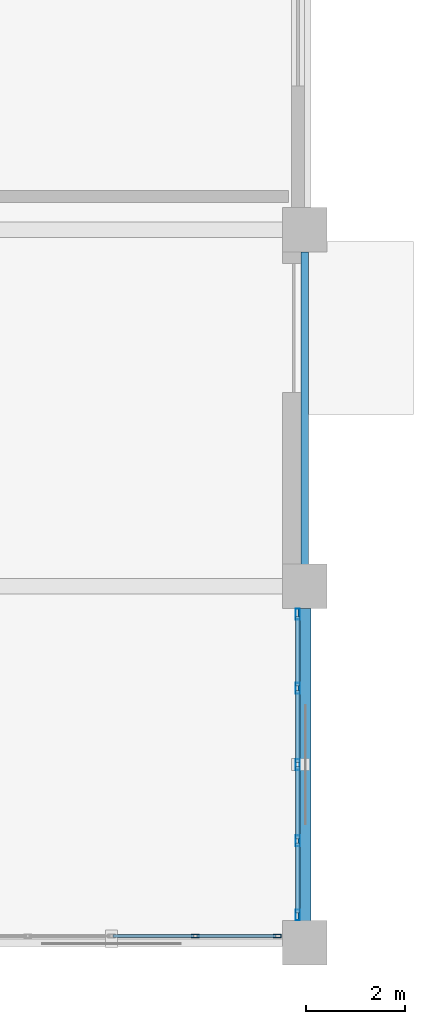
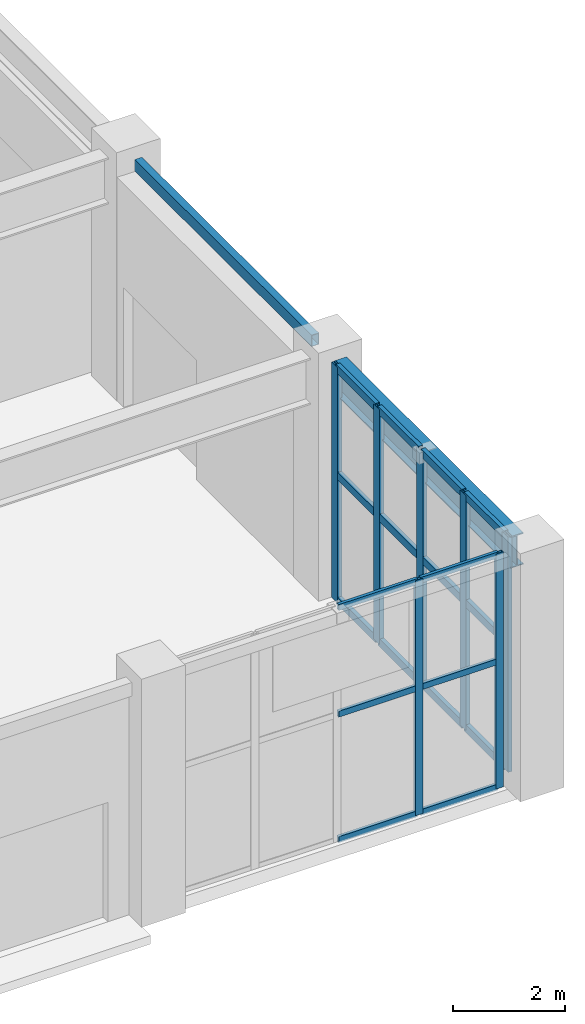
# One storey, part 85 of 139: 25 members, 2 beams, 2 elements without a shape of their own.
"""IFC4 building model written with IfcOpenShell, lengths in metres."""

from ifc_helpers import new_model, si_unit, direction, frame, origin, origin_2d, place, context, subcontext, project, spatial, hollow_rectangle, i_section, extrude, material, layer, layer_set, material_profile, profile_set, type_object, element, aggregate, save


model = new_model("IFC4")

# Units and contexts
model_context = context("Model", 3, precision=1e-05, world=origin(), true_north=direction((0.0, 1.0)))
body_context = subcontext(model_context, "Body", "Model", "MODEL_VIEW")
ifc_project = project(units=[si_unit("LENGTHUNIT", "METRE"), si_unit("AREAUNIT", "SQUARE_METRE"), si_unit("VOLUMEUNIT", "CUBIC_METRE"), si_unit("PLANEANGLEUNIT", "RADIAN"), si_unit("MASSUNIT", "GRAM", prefix="KILO")], contexts=[model_context])

# Site, building, storey
site_placement = place(None, origin())
site = spatial("IfcSite", under=ifc_project, at=site_placement, CompositionType="ELEMENT")
building_placement = place(site_placement, origin())
building = spatial("IfcBuilding", under=site, at=building_placement, Name="Xicomal Pleat Aquarium", CompositionType="ELEMENT")
storey_placement = place(building_placement, origin())
storey = spatial("IfcBuildingStorey", under=building, at=storey_placement, Name="L01", CompositionType="ELEMENT", Elevation=0.0)

# Beams
ifc_material_1 = material(Name="Structural steel A992 Gr 50", Category="steel")
ifc_material_profile_1 = material_profile(ifc_material_1, i_section(OverallWidth=0.256103515625, OverallDepth=0.693115234375, WebThickness=0.014404296875, FlangeThickness=0.023681640625, at=origin_2d()), Name="IR 690x170")
ifc_profile_set_1 = profile_set([ifc_material_profile_1], Name="Structural steel A992 Gr 50")
beam_type_1 = type_object("IfcBeamType", Name="BM-STL-IR690", PredefinedType="BEAM", material=ifc_profile_set_1)
beam_1_placement = place(storey_placement, frame((165.0, 1.2451171875, 4.7734375), z_axis=(0.0, 1.0, 0.0), x_axis=(-1.0, 0.0, 0.0)))
element("IfcBeam", 1, at=beam_1_placement, inside=storey, type_object=beam_type_1, Name="L01 framing beam FGY-L01-21-A-B", PredefinedType="BEAM", context=body_context, shape_type="SweptSolid", body=[
    extrude(i_section(OverallWidth=0.256103515625, OverallDepth=0.693115234375, WebThickness=0.014404296875, FlangeThickness=0.023681640625, at=origin_2d()), origin(), (0.0, 0.0, 1.0), 6.309814453125),
])
ifc_material_2 = material(Name="Structural steel A500 Gr C", Category="steel")
ifc_material_profile_2 = material_profile(ifc_material_2, hollow_rectangle(XDim=0.14990234375, YDim=0.25, WallThickness=0.010009765625, at=origin_2d()), Name="OR 250x150x10")
ifc_profile_set_2 = profile_set([ifc_material_profile_2], Name="Structural steel A500 Gr C")
beam_type_2 = type_object("IfcBeamType", Name="BM-STL-OR250", PredefinedType="SPANDREL", material=ifc_profile_set_2)
beam_2_placement = place(storey_placement, frame((165.0, 8.445068359375, 4.9951171875), z_axis=(0.0, 1.0, 0.0), x_axis=(-1.0, 0.0, 0.0)))
element("IfcBeam", 2, at=beam_2_placement, inside=storey, type_object=beam_type_2, Name="L01 framing beam FGY-L01-21-B-C", PredefinedType="SPANDREL", context=body_context, shape_type="SweptSolid", body=[
    extrude(hollow_rectangle(XDim=0.14990234375, YDim=0.25, WallThickness=0.010009765625, at=origin_2d()), origin(), (0.0, 0.0, 1.0), 6.309814453125),
])

# Curtain wall, members
ifc_material_3 = material(Name="Bronze anodized aluminium 6063-T6", Category="aluminium")
ifc_layer_1 = layer(ifc_material_3, 0.159912109375)
ifc_layer_set_1 = layer_set([ifc_layer_1], Name="Bronze anodized aluminium 6063-T6")
curtain_wall_type_1 = type_object("IfcCurtainWallType", Name="CW-SYS-01", PredefinedType="NOTDEFINED", material=ifc_layer_set_1)
curtain_wall_1_placement = place(storey_placement, origin())
curtain_wall_1 = element("IfcCurtainWall", 3, at=curtain_wall_1_placement, inside=storey, type_object=curtain_wall_type_1, Name="L01 unitised curtain wall CW-L01-060", PredefinedType="NOTDEFINED")
ifc_material_4 = material(Name="Bronze anodized aluminium 6063-T6", Category="aluminium")
ifc_material_profile_3 = material_profile(ifc_material_4, hollow_rectangle(XDim=0.06494140625, YDim=0.159912109375, WallThickness=0.00390625, at=origin_2d()), Name="ALU MULL 65x160")
ifc_profile_set_3 = profile_set([ifc_material_profile_3], Name="Bronze anodized aluminium 6063-T6")
member_type_1 = type_object("IfcMemberType", Name="CWM-65x160", PredefinedType="MULLION", material=ifc_profile_set_3)
member_1_placement = place(storey_placement, frame((164.447509765625, 0.93994140625, 0.0), z_axis=(0.0, 0.0, 1.0), x_axis=(0.0, -1.0, 0.0)))
member_1 = element("IfcMember", 4, at=member_1_placement, type_object=member_type_1, Name="CW-01 mullion 1", PredefinedType="MULLION", context=body_context, shape_type="SweptSolid", body=[
    extrude(hollow_rectangle(XDim=0.06494140625, YDim=0.159912109375, WallThickness=0.00390625, at=origin_2d()), origin(), (0.0, 0.0, 1.0), 5.1201171875),
])
member_2_placement = place(storey_placement, frame((162.7900390625, 0.93994140625, 0.0), z_axis=(0.0, 0.0, 1.0), x_axis=(0.0, -1.0, 0.0)))
member_2 = element("IfcMember", 5, at=member_2_placement, type_object=member_type_1, Name="CW-01 mullion 2", PredefinedType="MULLION", context=body_context, shape_type="SweptSolid", body=[
    extrude(hollow_rectangle(XDim=0.06494140625, YDim=0.159912109375, WallThickness=0.00390625, at=origin_2d()), origin(), (0.0, 0.0, 1.0), 5.1201171875),
])

ifc_material_5 = material(Name="Bronze anodized aluminium 6063-T6", Category="aluminium")
ifc_layer_2 = layer(ifc_material_5, 0.159912109375)
ifc_layer_set_2 = layer_set([ifc_layer_2], Name="Bronze anodized aluminium 6063-T6")
curtain_wall_type_2 = type_object("IfcCurtainWallType", Name="CW-SYS-11", PredefinedType="NOTDEFINED", material=ifc_layer_set_2)
curtain_wall_2_placement = place(storey_placement, origin())
curtain_wall_2 = element("IfcCurtainWall", 6, at=curtain_wall_2_placement, inside=storey, type_object=curtain_wall_type_2, Name="L01 unitised curtain wall CW-L01-059", PredefinedType="NOTDEFINED")
ifc_material_6 = material(Name="Bronze anodized aluminium 6063-T6", Category="aluminium")
ifc_material_profile_4 = material_profile(ifc_material_6, hollow_rectangle(XDim=0.0849609375, YDim=0.219970703125, WallThickness=0.0048828125, at=origin_2d()), Name="ALU MULL 85x220")
ifc_profile_set_4 = profile_set([ifc_material_profile_4], Name="Bronze anodized aluminium 6063-T6")
member_type_2 = type_object("IfcMemberType", Name="CWM-85x220", PredefinedType="MULLION", material=ifc_profile_set_4)
member_3_placement = place(storey_placement, frame((164.860107421875, 7.4375, 0.0), z_axis=(0.0, 0.0, 1.0), x_axis=(1.0, 0.0, 0.0)))
member_3 = element("IfcMember", 7, at=member_3_placement, type_object=member_type_2, Name="CW-11 mullion 1", PredefinedType="MULLION", context=body_context, shape_type="SweptSolid", body=[
    extrude(hollow_rectangle(XDim=0.0849609375, YDim=0.219970703125, WallThickness=0.0048828125, at=origin_2d()), origin(), (0.0, 0.0, 1.0), 5.1201171875),
])
member_4_placement = place(storey_placement, frame((164.860107421875, 5.93994140625, 0.0), z_axis=(0.0, 0.0, 1.0), x_axis=(1.0, 0.0, 0.0)))
member_4 = element("IfcMember", 8, at=member_4_placement, type_object=member_type_2, Name="CW-11 mullion 2", PredefinedType="MULLION", context=body_context, shape_type="SweptSolid", body=[
    extrude(hollow_rectangle(XDim=0.0849609375, YDim=0.219970703125, WallThickness=0.0048828125, at=origin_2d()), origin(), (0.0, 0.0, 1.0), 5.1201171875),
])
member_5_placement = place(storey_placement, frame((164.860107421875, 4.39990234375, 0.0), z_axis=(0.0, 0.0, 1.0), x_axis=(1.0, 0.0, 0.0)))
member_5 = element("IfcMember", 9, at=member_5_placement, type_object=member_type_2, Name="CW-11 mullion 3", PredefinedType="MULLION", context=body_context, shape_type="SweptSolid", body=[
    extrude(hollow_rectangle(XDim=0.0849609375, YDim=0.219970703125, WallThickness=0.0048828125, at=origin_2d()), origin(), (0.0, 0.0, 1.0), 5.1201171875),
])
member_6_placement = place(storey_placement, frame((164.860107421875, 2.860107421875, 0.0), z_axis=(0.0, 0.0, 1.0), x_axis=(1.0, 0.0, 0.0)))
member_6 = element("IfcMember", 10, at=member_6_placement, type_object=member_type_2, Name="CW-11 mullion 4", PredefinedType="MULLION", context=body_context, shape_type="SweptSolid", body=[
    extrude(hollow_rectangle(XDim=0.0849609375, YDim=0.219970703125, WallThickness=0.0048828125, at=origin_2d()), origin(), (0.0, 0.0, 1.0), 5.1201171875),
])
member_7_placement = place(storey_placement, frame((164.860107421875, 1.362548828125, 0.0), z_axis=(0.0, 0.0, 1.0), x_axis=(1.0, 0.0, 0.0)))
member_7 = element("IfcMember", 11, at=member_7_placement, type_object=member_type_2, Name="CW-11 mullion 5", PredefinedType="MULLION", context=body_context, shape_type="SweptSolid", body=[
    extrude(hollow_rectangle(XDim=0.0849609375, YDim=0.219970703125, WallThickness=0.0048828125, at=origin_2d()), origin(), (0.0, 0.0, 1.0), 5.1201171875),
])

# Member
ifc_material_7 = material(Name="Bronze anodized aluminium 6063-T6", Category="aluminium")
ifc_material_profile_5 = material_profile(ifc_material_7, hollow_rectangle(XDim=0.06494140625, YDim=0.1298828125, WallThickness=0.00390625, at=origin_2d()), Name="ALU TRAN 65x130")
ifc_profile_set_5 = profile_set([ifc_material_profile_5], Name="Bronze anodized aluminium 6063-T6")
member_type_3 = type_object("IfcMemberType", Name="CWT-65x130", PredefinedType="USERDEFINED", material=ifc_profile_set_5)
member_8_placement = place(storey_placement, frame((164.4150390625, 0.93994140625, 0.032470703125), z_axis=(-1.0, 0.0, 0.0), x_axis=(0.0, -1.0, 0.0)))
member_8 = element("IfcMember", 12, at=member_8_placement, type_object=member_type_3, Name="CW-01 transom 1.1", ObjectType="TRANSOM", PredefinedType="USERDEFINED", context=body_context, shape_type="SweptSolid", body=[
    extrude(hollow_rectangle(XDim=0.06494140625, YDim=0.1298828125, WallThickness=0.00390625, at=origin_2d()), origin(), (0.0, 0.0, 1.0), 1.592529296875),
])

member_9_placement = place(storey_placement, frame((164.4150390625, 0.93994140625, 2.764892578125), z_axis=(-1.0, 0.0, 0.0), x_axis=(0.0, -1.0, 0.0)))
member_9 = element("IfcMember", 13, at=member_9_placement, type_object=member_type_3, Name="CW-01 transom 1.2", ObjectType="TRANSOM", PredefinedType="USERDEFINED", context=body_context, shape_type="SweptSolid", body=[
    extrude(hollow_rectangle(XDim=0.06494140625, YDim=0.1298828125, WallThickness=0.00390625, at=origin_2d()), origin(), (0.0, 0.0, 1.0), 1.592529296875),
])

member_10_placement = place(storey_placement, frame((164.4150390625, 0.93994140625, 5.08740234375), z_axis=(-1.0, 0.0, 0.0), x_axis=(0.0, -1.0, 0.0)))
member_10 = element("IfcMember", 14, at=member_10_placement, type_object=member_type_3, Name="CW-01 transom 1.3", ObjectType="TRANSOM", PredefinedType="USERDEFINED", context=body_context, shape_type="SweptSolid", body=[
    extrude(hollow_rectangle(XDim=0.06494140625, YDim=0.1298828125, WallThickness=0.00390625, at=origin_2d()), origin(), (0.0, 0.0, 1.0), 1.592529296875),
])

member_11_placement = place(storey_placement, frame((162.757568359375, 0.93994140625, 0.032470703125), z_axis=(-1.0, 0.0, 0.0), x_axis=(0.0, -1.0, 0.0)))
member_11 = element("IfcMember", 15, at=member_11_placement, type_object=member_type_3, Name="CW-01 transom 2.1", ObjectType="TRANSOM", PredefinedType="USERDEFINED", context=body_context, shape_type="SweptSolid", body=[
    extrude(hollow_rectangle(XDim=0.06494140625, YDim=0.1298828125, WallThickness=0.00390625, at=origin_2d()), origin(), (0.0, 0.0, 1.0), 1.625),
])

member_12_placement = place(storey_placement, frame((162.757568359375, 0.93994140625, 2.764892578125), z_axis=(-1.0, 0.0, 0.0), x_axis=(0.0, -1.0, 0.0)))
member_12 = element("IfcMember", 16, at=member_12_placement, type_object=member_type_3, Name="CW-01 transom 2.2", ObjectType="TRANSOM", PredefinedType="USERDEFINED", context=body_context, shape_type="SweptSolid", body=[
    extrude(hollow_rectangle(XDim=0.06494140625, YDim=0.1298828125, WallThickness=0.00390625, at=origin_2d()), origin(), (0.0, 0.0, 1.0), 1.625),
])

member_13_placement = place(storey_placement, frame((162.757568359375, 0.93994140625, 5.08740234375), z_axis=(-1.0, 0.0, 0.0), x_axis=(0.0, -1.0, 0.0)))
member_13 = element("IfcMember", 17, at=member_13_placement, type_object=member_type_3, Name="CW-01 transom 2.3", ObjectType="TRANSOM", PredefinedType="USERDEFINED", context=body_context, shape_type="SweptSolid", body=[
    extrude(hollow_rectangle(XDim=0.06494140625, YDim=0.1298828125, WallThickness=0.00390625, at=origin_2d()), origin(), (0.0, 0.0, 1.0), 1.625),
])

aggregate(curtain_wall_1, [member_1, member_2, member_8, member_9, member_10, member_11, member_12, member_13])

ifc_material_8 = material(Name="Bronze anodized aluminium 6063-T6", Category="aluminium")
ifc_material_profile_6 = material_profile(ifc_material_8, hollow_rectangle(XDim=0.0849609375, YDim=0.169921875, WallThickness=0.0048828125, at=origin_2d()), Name="ALU TRAN 85x170")
ifc_profile_set_6 = profile_set([ifc_material_profile_6], Name="Bronze anodized aluminium 6063-T6")
member_type_4 = type_object("IfcMemberType", Name="CWT-85x170", PredefinedType="USERDEFINED", material=ifc_profile_set_6)
member_14_placement = place(storey_placement, frame((164.860107421875, 7.39501953125, 0.04248046875), z_axis=(0.0, -1.0, 0.0), x_axis=(1.0, 0.0, 0.0)))
member_14 = element("IfcMember", 18, at=member_14_placement, type_object=member_type_4, Name="CW-11 transom 1.1", ObjectType="TRANSOM", PredefinedType="USERDEFINED", context=body_context, shape_type="SweptSolid", body=[
    extrude(hollow_rectangle(XDim=0.0849609375, YDim=0.169921875, WallThickness=0.0048828125, at=origin_2d()), origin(), (0.0, 0.0, 1.0), 1.41259765625),
])

member_15_placement = place(storey_placement, frame((164.860107421875, 7.39501953125, 2.764892578125), z_axis=(0.0, -1.0, 0.0), x_axis=(1.0, 0.0, 0.0)))
member_15 = element("IfcMember", 19, at=member_15_placement, type_object=member_type_4, Name="CW-11 transom 1.2", ObjectType="TRANSOM", PredefinedType="USERDEFINED", context=body_context, shape_type="SweptSolid", body=[
    extrude(hollow_rectangle(XDim=0.0849609375, YDim=0.169921875, WallThickness=0.0048828125, at=origin_2d()), origin(), (0.0, 0.0, 1.0), 1.41259765625),
])

member_16_placement = place(storey_placement, frame((164.860107421875, 7.39501953125, 5.077392578125), z_axis=(0.0, -1.0, 0.0), x_axis=(1.0, 0.0, 0.0)))
member_16 = element("IfcMember", 20, at=member_16_placement, type_object=member_type_4, Name="CW-11 transom 1.3", ObjectType="TRANSOM", PredefinedType="USERDEFINED", context=body_context, shape_type="SweptSolid", body=[
    extrude(hollow_rectangle(XDim=0.0849609375, YDim=0.169921875, WallThickness=0.0048828125, at=origin_2d()), origin(), (0.0, 0.0, 1.0), 1.41259765625),
])

member_17_placement = place(storey_placement, frame((164.860107421875, 5.8974609375, 0.04248046875), z_axis=(0.0, -1.0, 0.0), x_axis=(1.0, 0.0, 0.0)))
member_17 = element("IfcMember", 21, at=member_17_placement, type_object=member_type_4, Name="CW-11 transom 2.1", ObjectType="TRANSOM", PredefinedType="USERDEFINED", context=body_context, shape_type="SweptSolid", body=[
    extrude(hollow_rectangle(XDim=0.0849609375, YDim=0.169921875, WallThickness=0.0048828125, at=origin_2d()), origin(), (0.0, 0.0, 1.0), 1.455078125),
])

member_18_placement = place(storey_placement, frame((164.860107421875, 5.8974609375, 2.764892578125), z_axis=(0.0, -1.0, 0.0), x_axis=(1.0, 0.0, 0.0)))
member_18 = element("IfcMember", 22, at=member_18_placement, type_object=member_type_4, Name="CW-11 transom 2.2", ObjectType="TRANSOM", PredefinedType="USERDEFINED", context=body_context, shape_type="SweptSolid", body=[
    extrude(hollow_rectangle(XDim=0.0849609375, YDim=0.169921875, WallThickness=0.0048828125, at=origin_2d()), origin(), (0.0, 0.0, 1.0), 1.455078125),
])

member_19_placement = place(storey_placement, frame((164.860107421875, 5.8974609375, 5.077392578125), z_axis=(0.0, -1.0, 0.0), x_axis=(1.0, 0.0, 0.0)))
member_19 = element("IfcMember", 23, at=member_19_placement, type_object=member_type_4, Name="CW-11 transom 2.3", ObjectType="TRANSOM", PredefinedType="USERDEFINED", context=body_context, shape_type="SweptSolid", body=[
    extrude(hollow_rectangle(XDim=0.0849609375, YDim=0.169921875, WallThickness=0.0048828125, at=origin_2d()), origin(), (0.0, 0.0, 1.0), 1.455078125),
])

member_20_placement = place(storey_placement, frame((164.860107421875, 4.357421875, 0.04248046875), z_axis=(0.0, -1.0, 0.0), x_axis=(1.0, 0.0, 0.0)))
member_20 = element("IfcMember", 24, at=member_20_placement, type_object=member_type_4, Name="CW-11 transom 3.1", ObjectType="TRANSOM", PredefinedType="USERDEFINED", context=body_context, shape_type="SweptSolid", body=[
    extrude(hollow_rectangle(XDim=0.0849609375, YDim=0.169921875, WallThickness=0.0048828125, at=origin_2d()), origin(), (0.0, 0.0, 1.0), 1.454833984375),
])

member_21_placement = place(storey_placement, frame((164.860107421875, 4.357421875, 2.764892578125), z_axis=(0.0, -1.0, 0.0), x_axis=(1.0, 0.0, 0.0)))
member_21 = element("IfcMember", 25, at=member_21_placement, type_object=member_type_4, Name="CW-11 transom 3.2", ObjectType="TRANSOM", PredefinedType="USERDEFINED", context=body_context, shape_type="SweptSolid", body=[
    extrude(hollow_rectangle(XDim=0.0849609375, YDim=0.169921875, WallThickness=0.0048828125, at=origin_2d()), origin(), (0.0, 0.0, 1.0), 1.454833984375),
])

member_22_placement = place(storey_placement, frame((164.860107421875, 4.357421875, 5.077392578125), z_axis=(0.0, -1.0, 0.0), x_axis=(1.0, 0.0, 0.0)))
member_22 = element("IfcMember", 26, at=member_22_placement, type_object=member_type_4, Name="CW-11 transom 3.3", ObjectType="TRANSOM", PredefinedType="USERDEFINED", context=body_context, shape_type="SweptSolid", body=[
    extrude(hollow_rectangle(XDim=0.0849609375, YDim=0.169921875, WallThickness=0.0048828125, at=origin_2d()), origin(), (0.0, 0.0, 1.0), 1.454833984375),
])

member_23_placement = place(storey_placement, frame((164.860107421875, 2.8173828125, 0.04248046875), z_axis=(0.0, -1.0, 0.0), x_axis=(1.0, 0.0, 0.0)))
member_23 = element("IfcMember", 27, at=member_23_placement, type_object=member_type_4, Name="CW-11 transom 4.1", ObjectType="TRANSOM", PredefinedType="USERDEFINED", context=body_context, shape_type="SweptSolid", body=[
    extrude(hollow_rectangle(XDim=0.0849609375, YDim=0.169921875, WallThickness=0.0048828125, at=origin_2d()), origin(), (0.0, 0.0, 1.0), 1.412353515625),
])

member_24_placement = place(storey_placement, frame((164.860107421875, 2.8173828125, 2.764892578125), z_axis=(0.0, -1.0, 0.0), x_axis=(1.0, 0.0, 0.0)))
member_24 = element("IfcMember", 28, at=member_24_placement, type_object=member_type_4, Name="CW-11 transom 4.2", ObjectType="TRANSOM", PredefinedType="USERDEFINED", context=body_context, shape_type="SweptSolid", body=[
    extrude(hollow_rectangle(XDim=0.0849609375, YDim=0.169921875, WallThickness=0.0048828125, at=origin_2d()), origin(), (0.0, 0.0, 1.0), 1.412353515625),
])

member_25_placement = place(storey_placement, frame((164.860107421875, 2.8173828125, 5.077392578125), z_axis=(0.0, -1.0, 0.0), x_axis=(1.0, 0.0, 0.0)))
member_25 = element("IfcMember", 29, at=member_25_placement, type_object=member_type_4, Name="CW-11 transom 4.3", ObjectType="TRANSOM", PredefinedType="USERDEFINED", context=body_context, shape_type="SweptSolid", body=[
    extrude(hollow_rectangle(XDim=0.0849609375, YDim=0.169921875, WallThickness=0.0048828125, at=origin_2d()), origin(), (0.0, 0.0, 1.0), 1.412353515625),
])

aggregate(curtain_wall_2, [member_3, member_4, member_5, member_6, member_7, member_14, member_15, member_16, member_17, member_18, member_19, member_20, member_21, member_22, member_23, member_24, member_25])

save(model, "model.ifc")
